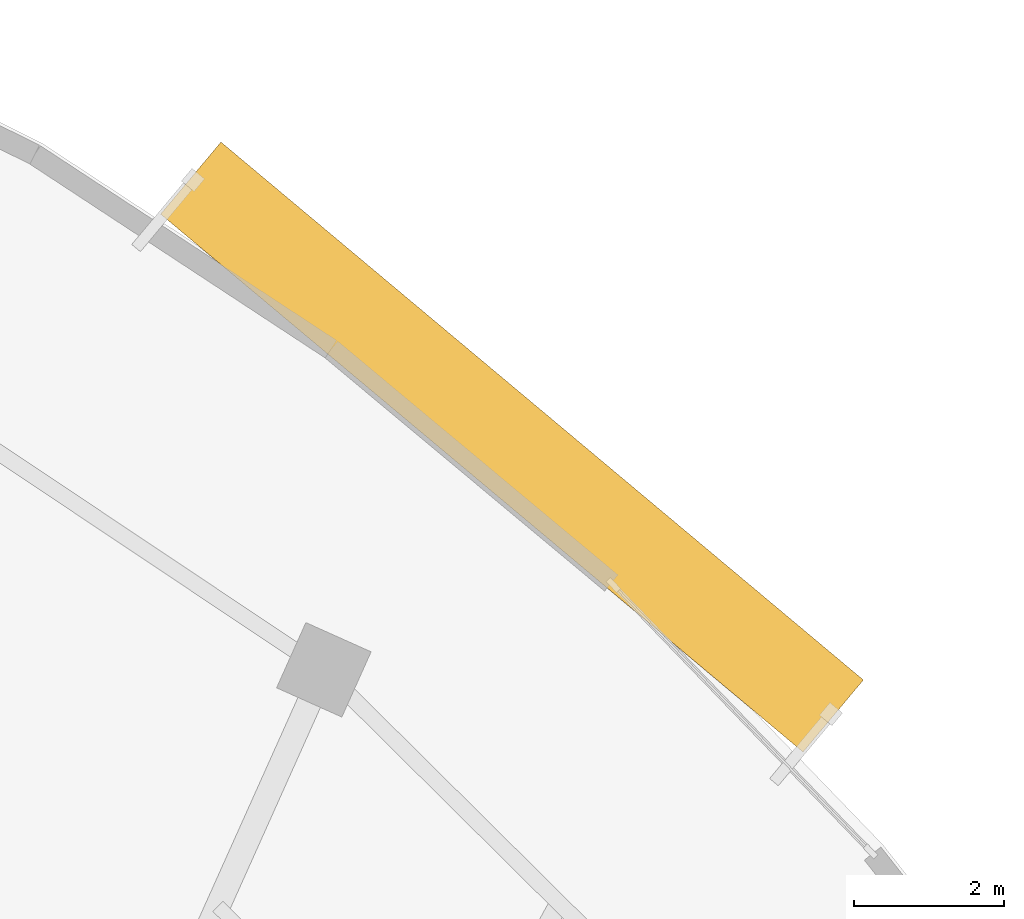
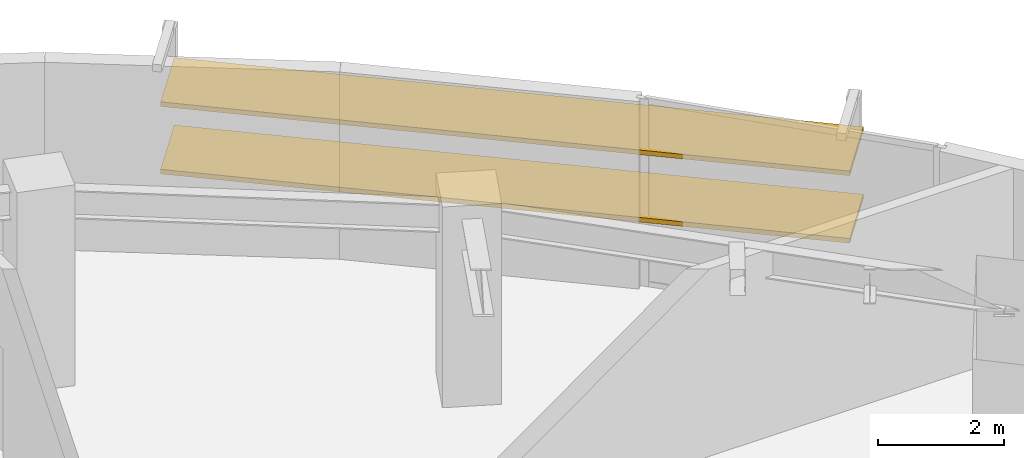
# One storey, part 13 of 13: 2 shading devices.
"""IFC4 building model written with IfcOpenShell, lengths in metres."""

from ifc_helpers import new_model, si_unit, direction, frame, origin, origin_2d, place, context, subcontext, project, spatial, rectangle, extrude, source, transform, mapped, material, material_profile, profile_set, type_object, element, save


model = new_model("IFC4")

# Units and contexts
model_context = context("Model", 3, precision=1e-05, world=origin(), true_north=direction((0.0, 1.0)))
body_context = subcontext(model_context, "Body", "Model", "MODEL_VIEW")
ifc_project = project(units=[si_unit("LENGTHUNIT", "METRE"), si_unit("AREAUNIT", "SQUARE_METRE"), si_unit("VOLUMEUNIT", "CUBIC_METRE"), si_unit("PLANEANGLEUNIT", "RADIAN"), si_unit("MASSUNIT", "GRAM", prefix="KILO")], contexts=[model_context])

# Site, building, storey
site_placement = place(None, origin())
site = spatial("IfcSite", under=ifc_project, at=site_placement, CompositionType="ELEMENT")
building_placement = place(site_placement, origin())
building = spatial("IfcBuilding", under=site, at=building_placement, Name="Breltana Convention Tower", CompositionType="ELEMENT")
storey_placement = place(building_placement, frame((0.0, 0.0, 223.5)))
storey = spatial("IfcBuildingStorey", under=building, at=storey_placement, Name="L54", CompositionType="ELEMENT", Elevation=223.5)

# Shading devices
ifc_material = material(Name="Limestone Warm Buff Honed", Category="masonry")
ifc_material_profile = material_profile(ifc_material, rectangle(XDim=1.25, YDim=0.090087890625, at=origin_2d()), Name="STN-LVR-1250X90")
ifc_profile_set = profile_set([ifc_material_profile], Name="Limestone Warm Buff Honed")
shading_device_type = type_object("IfcShadingDeviceType", Name="SHD-OUTER-SKIN-LIMESTONE-1250", PredefinedType="JALOUSIE", material=ifc_profile_set)
shared_shape = source(origin(), body_context, "Body", "SweptSolid", [
    extrude(rectangle(XDim=1.25, YDim=0.090087890625, at=origin_2d()), origin(), (0.0, 0.0, 1.0), 11.138671875),
])
for number, where, z_axis, x_axis, name in (
    (1, (67.141357421875, 75.169921875, 1.310302734375), (0.76671903432, -0.641982805386, 0.0), (0.641982805386, 0.76671903432, 0.0), "L54 outer skin warm limestone louvre 2.1"),
    (2, (67.141357421875, 75.169921875, 2.620849609375), (0.76671903432, -0.641982805386, 0.0), (0.641982805386, 0.76671903432, 0.0), "L54 outer skin warm limestone louvre 2.2"),
):
    element("IfcShadingDevice", number, at=place(storey_placement, frame(where, z_axis=z_axis, x_axis=x_axis)), inside=storey, type_object=shading_device_type, Name=name, PredefinedType="JALOUSIE", context=body_context, shape_type="MappedRepresentation", body=[
        mapped(shared_shape, transform((0.0, 0.0, 0.0), scale=1.0)),
    ])

save(model, "model.ifc")
